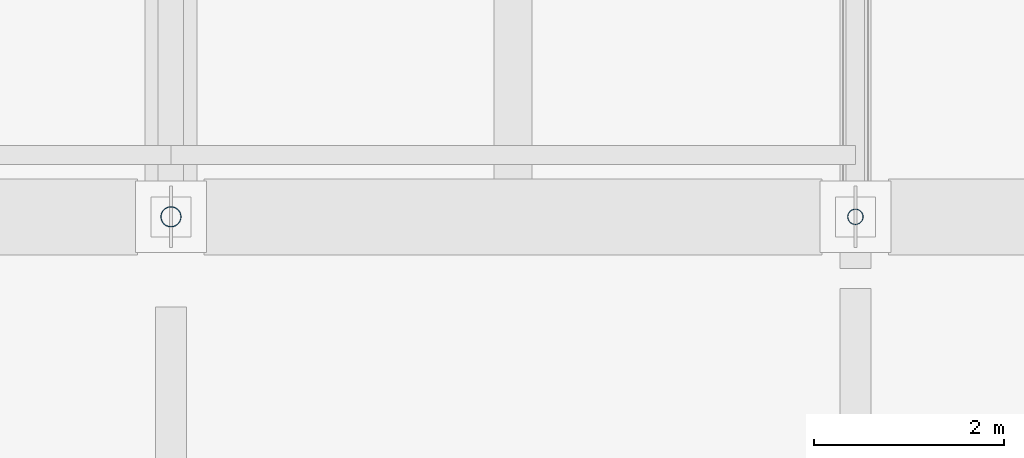
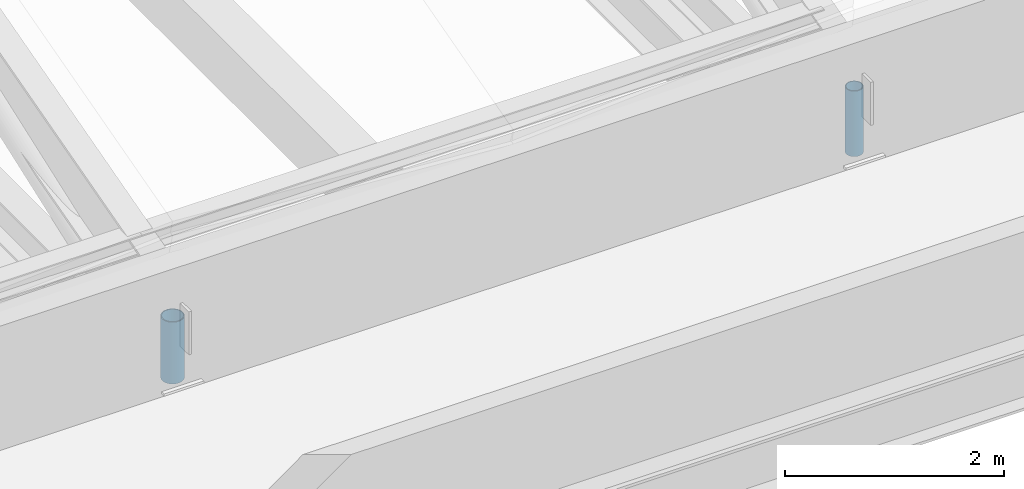
# One storey, part 37 of 53: 2 members.
"""IFC4 building model written with IfcOpenShell, lengths in metres."""

import ifcopenshell
import ifcopenshell.guid

model = None  # the IFC model being written
_history = None  # IfcOwnerHistory: only IFC2X3 demands one
_inside = {}  # id of a spatial element -> (the spatial element, [elements in it])
_under = {}  # id of a project, library or spatial element -> (it, [spatial elements below it])
_declared = {}  # id of a project -> (the project, [libraries it declares])
_typed = {}  # id of a type object -> (the type object, [elements of that type])
_made_of = {}  # id of a material, layer set ... -> (it, [elements and type objects made of it])


def new_model(schema):
    """Start an empty IFC model of exactly this schema.

    Asked for "IFC4X3", IfcOpenShell would pick the latest addendum, in which some entities
    have other attributes; the version numbers below select the first issue.
    IFC2X3 requires an IfcOwnerHistory on every rooted entity: one is made here for all.
    """
    global model, _history
    if schema == "IFC4X3":
        model = ifcopenshell.file(schema_version=(4, 3, 0, 0))
    else:
        model = ifcopenshell.file(schema=schema)
    _inside.clear()
    _under.clear()
    _declared.clear()
    _typed.clear()
    _made_of.clear()
    _history = None
    if model.schema == "IFC2X3":
        org = make("IfcOrganization", Name="unknown")
        user = make(
            "IfcPersonAndOrganization",
            ThePerson=make("IfcPerson", FamilyName="unknown"),
            TheOrganization=org,
        )
        app = make(
            "IfcApplication",
            ApplicationDeveloper=org,
            Version="unknown",
            ApplicationFullName="unknown",
            ApplicationIdentifier="unknown",
        )
        _history = make(
            "IfcOwnerHistory",
            OwningUser=user,
            OwningApplication=app,
            ChangeAction="ADDED",
            CreationDate=0,
        )
    return model


def make(cls, **values):
    """One entity of the class cls with the attributes given. An attribute that is None is left unset."""
    return model.create_entity(
        cls, **{name: value for name, value in values.items() if value is not None}
    )


def rooted(cls, **values):
    """An entity with a GlobalId (a new one), such as an element, a storey or a relation."""
    return make(cls, GlobalId=ifcopenshell.guid.new(), OwnerHistory=_history, **values)


def si_unit(unit_type, name, prefix=None):
    """IfcSIUnit, for example si_unit("LENGTHUNIT", "METRE", prefix="MILLI")."""
    return make("IfcSIUnit", UnitType=unit_type, Prefix=prefix, Name=name)


def assignment(units):
    """IfcUnitAssignment: the units of a project."""
    return None if units is None else make("IfcUnitAssignment", Units=units)


def point(xyz):
    """IfcCartesianPoint."""
    return None if xyz is None else make("IfcCartesianPoint", Coordinates=xyz)


def direction(xyz):
    """IfcDirection."""
    return None if xyz is None else make("IfcDirection", DirectionRatios=xyz)


def frame(location, z_axis=None, x_axis=None):
    """IfcAxis2Placement3D, a coordinate frame: its origin and axes. An axis left out is left unset."""
    return make(
        "IfcAxis2Placement3D",
        Location=point(location),
        Axis=direction(z_axis),
        RefDirection=direction(x_axis),
    )


def frame_2d(location, x_axis=None):
    """IfcAxis2Placement2D, a coordinate frame in the plane: its origin and x axis."""
    return make(
        "IfcAxis2Placement2D", Location=point(location), RefDirection=direction(x_axis)
    )


def origin():
    """The frame at (0, 0, 0) with its axes left unset."""
    return frame((0.0, 0.0, 0.0))


def origin_2d():
    """The frame at (0, 0) in the plane with its x axis left unset."""
    return frame_2d((0.0, 0.0))


def place(relative_to, where):
    """IfcLocalPlacement: puts the frame where relative to a parent placement (None: the world)."""
    return make(
        "IfcLocalPlacement", PlacementRelTo=relative_to, RelativePlacement=where
    )


def context(
    kind, dimensions, precision=None, world=None, true_north=None, identifier=None
):
    """IfcGeometricRepresentationContext, for example the 3D "Model" context."""
    return make(
        "IfcGeometricRepresentationContext",
        ContextIdentifier=identifier,
        ContextType=kind,
        CoordinateSpaceDimension=dimensions,
        Precision=precision,
        WorldCoordinateSystem=world,
        TrueNorth=true_north,
    )


def subcontext(parent, identifier, kind, view, scale=None):
    """IfcGeometricRepresentationSubContext, for example "Body" below "Model"."""
    return make(
        "IfcGeometricRepresentationSubContext",
        ContextIdentifier=identifier,
        ContextType=kind,
        ParentContext=parent,
        TargetScale=scale,
        TargetView=view,
    )


def project(units=None, contexts=None):
    """IfcProject with its units and contexts."""
    return rooted(
        "IfcProject",
        Name="project",
        RepresentationContexts=contexts,
        UnitsInContext=assignment(units),
    )


def spatial(cls, under=None, at=None, **own):
    """A site, building, storey or space (cls), placed at a placement, below another one or the project."""
    s = rooted(cls, ObjectPlacement=at, **own)
    if under is not None:
        _under.setdefault(under.id(), (under, []))[1].append(s)
    return s


def profile(cls, at=None, kind="AREA", **sizes):
    """A parametric profile (cls). Its sizes go by their IFC names, for example OverallWidth=200.0."""
    return make(cls, ProfileType=kind, Position=at, **sizes)


def hollow_circle(**sizes):
    """IfcCircleHollowProfileDef."""
    return profile("IfcCircleHollowProfileDef", **sizes)


def extrude(swept, where, along, depth):
    """IfcExtrudedAreaSolid: the profile swept, set in the frame where, extruded along a direction by depth."""
    return make(
        "IfcExtrudedAreaSolid",
        SweptArea=swept,
        Position=where,
        ExtrudedDirection=direction(along),
        Depth=depth,
    )


def shape(context_of_items, identifier, shape_type, items):
    """IfcShapeRepresentation: the items that make up one representation, for example the "Body"."""
    return make(
        "IfcShapeRepresentation",
        ContextOfItems=context_of_items,
        RepresentationIdentifier=identifier,
        RepresentationType=shape_type,
        Items=items,
    )


def material(Name=None, Category=None):
    """IfcMaterial."""
    return make("IfcMaterial", Name=Name, Category=Category)


def material_profile(
    of_material, cross_section, Name=None, Category=None, Priority=None
):
    """IfcMaterialProfile: a cross section and its material."""
    return make(
        "IfcMaterialProfile",
        Name=Name,
        Material=of_material,
        Profile=cross_section,
        Priority=Priority,
        Category=Category,
    )


def profile_set(profiles, Name=None, composite=None):
    """IfcMaterialProfileSet."""
    return make(
        "IfcMaterialProfileSet",
        Name=Name,
        MaterialProfiles=profiles,
        CompositeProfile=composite,
    )


def made_of(thing, what):
    """Note that an element or type object is made of a material, layer set ...; save() writes the relation."""
    if what is not None:
        _made_of.setdefault(what.id(), (what, []))[1].append(thing)
    return thing


def type_object(cls, material=None, **own):
    """A type object (cls), such as IfcWallType, which elements share."""
    return made_of(rooted(cls, **own), material)


def element(
    cls,
    number,
    at=None,
    inside=None,
    cuts=None,
    type_object=None,
    material=None,
    context=None,
    identifier="Body",
    shape_type=None,
    held_by="IfcProductDefinitionShape",
    body=None,
    shapes=None,
    **own,
):
    """One element of the class cls, such as IfcWall. Its Tag is "e" and its number.

    at: its placement. inside: the storey or other place that contains it. cuts: it is an
    opening in that element (IfcRelVoidsElement). A single representation is given by context,
    identifier, shape_type and body (its items); several are given by shapes. held_by: the class
    of the entity that holds the representations. save() writes the other relations.
    """
    e = rooted(cls, Tag="e%d" % number, ObjectPlacement=at, **own)
    if body is not None:
        shapes = [shape(context, identifier, shape_type, body)]
    if shapes is not None:
        e.Representation = make(held_by, Representations=shapes)
    if inside is not None:
        _inside.setdefault(inside.id(), (inside, []))[1].append(e)
    if cuts is not None:
        rooted(
            "IfcRelVoidsElement", RelatingBuildingElement=cuts, RelatedOpeningElement=e
        )
    if type_object is not None:
        _typed.setdefault(type_object.id(), (type_object, []))[1].append(e)
    return made_of(e, material)


def aggregate(whole, parts):
    """IfcRelAggregates: a whole, such as a stair, and the parts it consists of."""
    return rooted("IfcRelAggregates", RelatingObject=whole, RelatedObjects=parts)


def save(model, path):
    """Write the relations noted so far, then the file.

    IfcRelAggregates (storeys below a building ...), IfcRelContainedInSpatialStructure (elements
    in a storey), IfcRelDefinesByType, IfcRelAssociatesMaterial and IfcRelDeclares: one each for
    every whole, place, type object, material and project.
    """
    for whole, parts in _under.values():
        aggregate(whole, parts)
    for where, things in _inside.values():
        rooted(
            "IfcRelContainedInSpatialStructure",
            RelatedElements=things,
            RelatingStructure=where,
        )
    for kind, things in _typed.values():
        rooted("IfcRelDefinesByType", RelatedObjects=things, RelatingType=kind)
    for what, things in _made_of.values():
        rooted("IfcRelAssociatesMaterial", RelatedObjects=things, RelatingMaterial=what)
    for by, libraries in _declared.values():
        rooted("IfcRelDeclares", RelatingContext=by, RelatedDefinitions=libraries)
    model.write(path)


model = new_model("IFC4")

# Units and contexts
model_context = context("Model", 3, precision=1e-05, world=origin(), true_north=direction((0.0, 1.0)))
body_context = subcontext(model_context, "Body", "Model", "MODEL_VIEW")
ifc_project = project(units=[si_unit("LENGTHUNIT", "METRE"), si_unit("AREAUNIT", "SQUARE_METRE"), si_unit("VOLUMEUNIT", "CUBIC_METRE"), si_unit("PLANEANGLEUNIT", "RADIAN"), si_unit("MASSUNIT", "GRAM", prefix="KILO")], contexts=[model_context])

# Site, building, storey
site_placement = place(None, origin())
site = spatial("IfcSite", under=ifc_project, at=site_placement, CompositionType="ELEMENT")
building_placement = place(site_placement, origin())
building = spatial("IfcBuilding", under=site, at=building_placement, Name="Pellamere Symphony Hall", CompositionType="ELEMENT")
storey_placement = place(building_placement, frame((0.0, 0.0, 24.0)))
storey = spatial("IfcBuildingStorey", under=building, at=storey_placement, Name="L05", CompositionType="ELEMENT", Elevation=24.0)

# Members
ifc_material = material(Name="Steel CSA G40.21 350W", Category="steel")
ifc_material_profile_1 = material_profile(ifc_material, hollow_circle(Radius=0.109619140625, WallThickness=0.009521484375, at=origin_2d()), Name="HSS219X10")
ifc_profile_set_1 = profile_set([ifc_material_profile_1], Name="Steel CSA G40.21 350W")
member_type_1 = type_object("IfcMemberType", Name="Steel Member SM-13 HSS219X10", PredefinedType="STRUT", material=ifc_profile_set_1)
member_1_placement = place(storey_placement, frame((102.0, 30.0, 0.159912109375), z_axis=(0.0, 0.0, 1.0), x_axis=(1.0, 0.0, 0.0)))
element("IfcMember", 1, at=member_1_placement, inside=storey, type_object=member_type_1, Name="Roof Truss TR-07 Vertical Post 0", PredefinedType="STRUT", context=body_context, shape_type="SweptSolid", body=[
    extrude(hollow_circle(Radius=0.109619140625, WallThickness=0.009521484375, at=origin_2d()), origin(), (0.0, 0.0, 1.0), 0.690185546875),
])
ifc_material_profile_2 = material_profile(ifc_material, hollow_circle(Radius=0.084228515625, WallThickness=0.008056640625, at=origin_2d()), Name="HSS168X8")
ifc_profile_set_2 = profile_set([ifc_material_profile_2], Name="Steel CSA G40.21 350W")
member_type_2 = type_object("IfcMemberType", Name="Steel Member SM-14 HSS168X8", PredefinedType="COLLAR", material=ifc_profile_set_2)
member_2_placement = place(storey_placement, frame((109.199951171875, 30.0, 0.159912109375), z_axis=(0.0, 0.0, 1.0), x_axis=(1.0, 0.0, 0.0)))
element("IfcMember", 2, at=member_2_placement, inside=storey, type_object=member_type_2, Name="Roof Truss TR-08 Vertical Post 0", PredefinedType="COLLAR", context=body_context, shape_type="SweptSolid", body=[
    extrude(hollow_circle(Radius=0.084228515625, WallThickness=0.008056640625, at=origin_2d()), origin(), (0.0, 0.0, 1.0), 0.731201171875),
])

save(model, "model.ifc")
